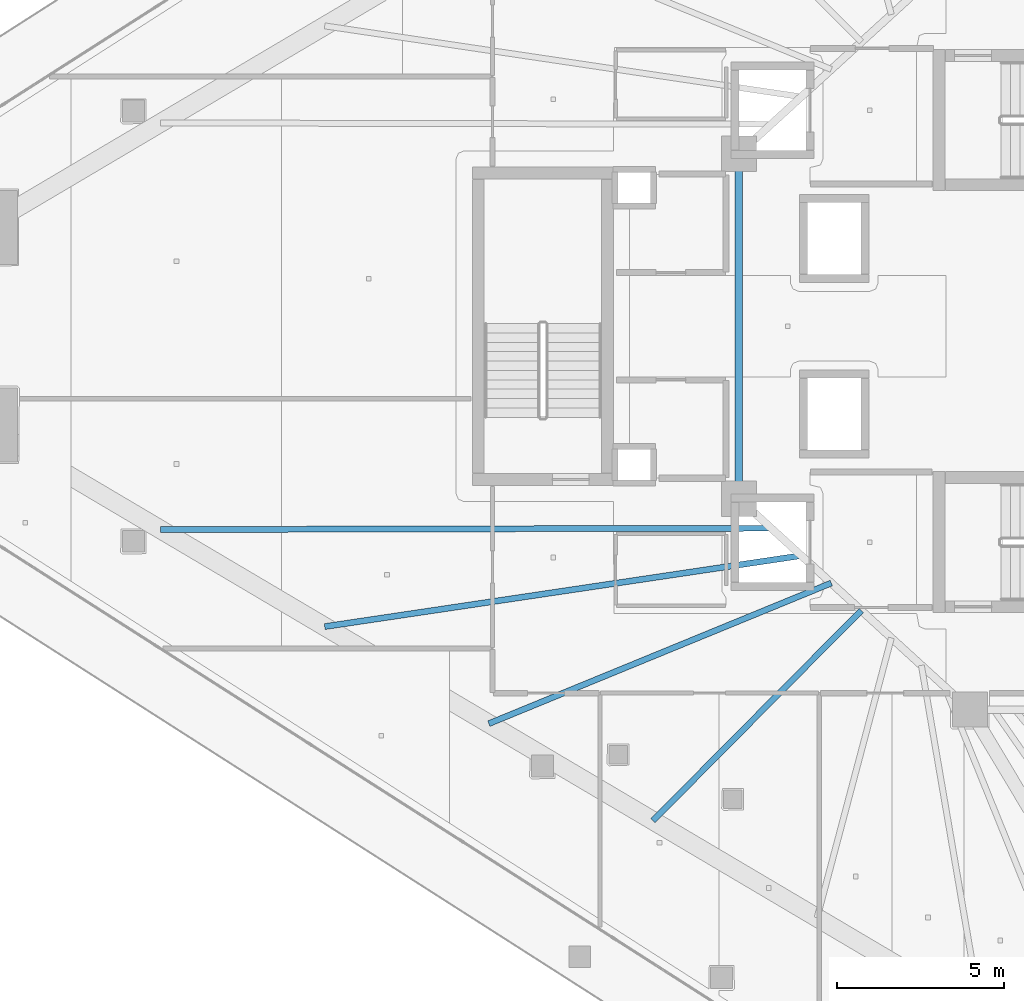
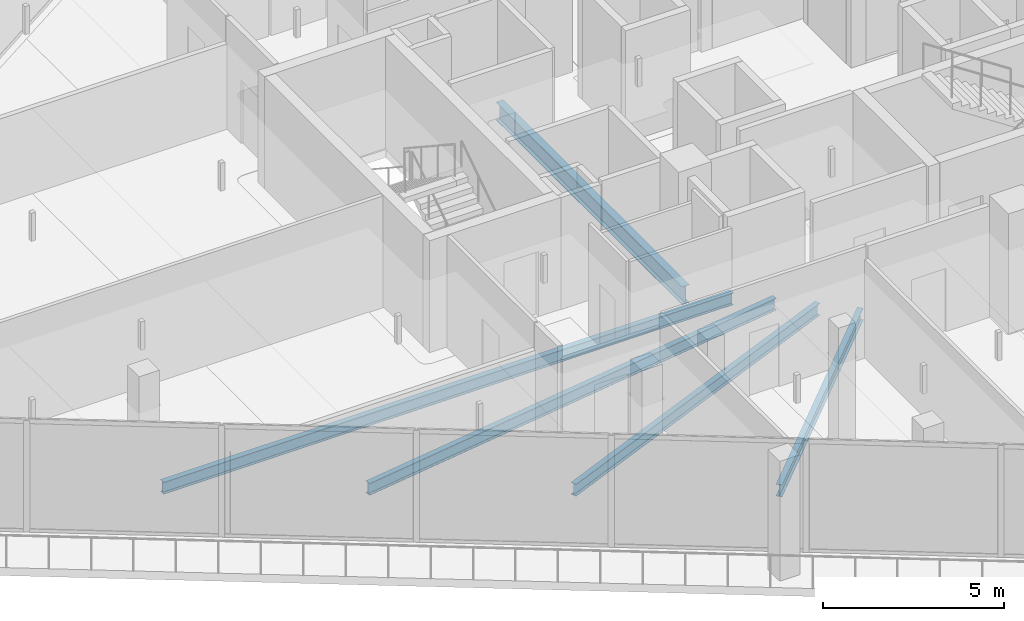
# One storey, part 6 of 38: 5 beams.
"""IFC4 building model written with IfcOpenShell, lengths in metres."""

import ifcopenshell
import ifcopenshell.guid

model = None  # the IFC model being written
_history = None  # IfcOwnerHistory: only IFC2X3 demands one
_inside = {}  # id of a spatial element -> (the spatial element, [elements in it])
_under = {}  # id of a project, library or spatial element -> (it, [spatial elements below it])
_declared = {}  # id of a project -> (the project, [libraries it declares])
_typed = {}  # id of a type object -> (the type object, [elements of that type])
_made_of = {}  # id of a material, layer set ... -> (it, [elements and type objects made of it])


def new_model(schema):
    """Start an empty IFC model of exactly this schema.

    Asked for "IFC4X3", IfcOpenShell would pick the latest addendum, in which some entities
    have other attributes; the version numbers below select the first issue.
    IFC2X3 requires an IfcOwnerHistory on every rooted entity: one is made here for all.
    """
    global model, _history
    if schema == "IFC4X3":
        model = ifcopenshell.file(schema_version=(4, 3, 0, 0))
    else:
        model = ifcopenshell.file(schema=schema)
    _inside.clear()
    _under.clear()
    _declared.clear()
    _typed.clear()
    _made_of.clear()
    _history = None
    if model.schema == "IFC2X3":
        org = make("IfcOrganization", Name="unknown")
        user = make(
            "IfcPersonAndOrganization",
            ThePerson=make("IfcPerson", FamilyName="unknown"),
            TheOrganization=org,
        )
        app = make(
            "IfcApplication",
            ApplicationDeveloper=org,
            Version="unknown",
            ApplicationFullName="unknown",
            ApplicationIdentifier="unknown",
        )
        _history = make(
            "IfcOwnerHistory",
            OwningUser=user,
            OwningApplication=app,
            ChangeAction="ADDED",
            CreationDate=0,
        )
    return model


def make(cls, **values):
    """One entity of the class cls with the attributes given. An attribute that is None is left unset."""
    return model.create_entity(
        cls, **{name: value for name, value in values.items() if value is not None}
    )


def rooted(cls, **values):
    """An entity with a GlobalId (a new one), such as an element, a storey or a relation."""
    return make(cls, GlobalId=ifcopenshell.guid.new(), OwnerHistory=_history, **values)


def si_unit(unit_type, name, prefix=None):
    """IfcSIUnit, for example si_unit("LENGTHUNIT", "METRE", prefix="MILLI")."""
    return make("IfcSIUnit", UnitType=unit_type, Prefix=prefix, Name=name)


def assignment(units):
    """IfcUnitAssignment: the units of a project."""
    return None if units is None else make("IfcUnitAssignment", Units=units)


def point(xyz):
    """IfcCartesianPoint."""
    return None if xyz is None else make("IfcCartesianPoint", Coordinates=xyz)


def direction(xyz):
    """IfcDirection."""
    return None if xyz is None else make("IfcDirection", DirectionRatios=xyz)


def frame(location, z_axis=None, x_axis=None):
    """IfcAxis2Placement3D, a coordinate frame: its origin and axes. An axis left out is left unset."""
    return make(
        "IfcAxis2Placement3D",
        Location=point(location),
        Axis=direction(z_axis),
        RefDirection=direction(x_axis),
    )


def frame_2d(location, x_axis=None):
    """IfcAxis2Placement2D, a coordinate frame in the plane: its origin and x axis."""
    return make(
        "IfcAxis2Placement2D", Location=point(location), RefDirection=direction(x_axis)
    )


def origin():
    """The frame at (0, 0, 0) with its axes left unset."""
    return frame((0.0, 0.0, 0.0))


def origin_2d():
    """The frame at (0, 0) in the plane with its x axis left unset."""
    return frame_2d((0.0, 0.0))


def place(relative_to, where):
    """IfcLocalPlacement: puts the frame where relative to a parent placement (None: the world)."""
    return make(
        "IfcLocalPlacement", PlacementRelTo=relative_to, RelativePlacement=where
    )


def context(
    kind, dimensions, precision=None, world=None, true_north=None, identifier=None
):
    """IfcGeometricRepresentationContext, for example the 3D "Model" context."""
    return make(
        "IfcGeometricRepresentationContext",
        ContextIdentifier=identifier,
        ContextType=kind,
        CoordinateSpaceDimension=dimensions,
        Precision=precision,
        WorldCoordinateSystem=world,
        TrueNorth=true_north,
    )


def subcontext(parent, identifier, kind, view, scale=None):
    """IfcGeometricRepresentationSubContext, for example "Body" below "Model"."""
    return make(
        "IfcGeometricRepresentationSubContext",
        ContextIdentifier=identifier,
        ContextType=kind,
        ParentContext=parent,
        TargetScale=scale,
        TargetView=view,
    )


def project(units=None, contexts=None):
    """IfcProject with its units and contexts."""
    return rooted(
        "IfcProject",
        Name="project",
        RepresentationContexts=contexts,
        UnitsInContext=assignment(units),
    )


def spatial(cls, under=None, at=None, **own):
    """A site, building, storey or space (cls), placed at a placement, below another one or the project."""
    s = rooted(cls, ObjectPlacement=at, **own)
    if under is not None:
        _under.setdefault(under.id(), (under, []))[1].append(s)
    return s


def profile(cls, at=None, kind="AREA", **sizes):
    """A parametric profile (cls). Its sizes go by their IFC names, for example OverallWidth=200.0."""
    return make(cls, ProfileType=kind, Position=at, **sizes)


def i_section(**sizes):
    """IfcIShapeProfileDef."""
    return profile("IfcIShapeProfileDef", **sizes)


def extrude(swept, where, along, depth):
    """IfcExtrudedAreaSolid: the profile swept, set in the frame where, extruded along a direction by depth."""
    return make(
        "IfcExtrudedAreaSolid",
        SweptArea=swept,
        Position=where,
        ExtrudedDirection=direction(along),
        Depth=depth,
    )


def shape(context_of_items, identifier, shape_type, items):
    """IfcShapeRepresentation: the items that make up one representation, for example the "Body"."""
    return make(
        "IfcShapeRepresentation",
        ContextOfItems=context_of_items,
        RepresentationIdentifier=identifier,
        RepresentationType=shape_type,
        Items=items,
    )


def material(Name=None, Category=None):
    """IfcMaterial."""
    return make("IfcMaterial", Name=Name, Category=Category)


def material_profile(
    of_material, cross_section, Name=None, Category=None, Priority=None
):
    """IfcMaterialProfile: a cross section and its material."""
    return make(
        "IfcMaterialProfile",
        Name=Name,
        Material=of_material,
        Profile=cross_section,
        Priority=Priority,
        Category=Category,
    )


def profile_set(profiles, Name=None, composite=None):
    """IfcMaterialProfileSet."""
    return make(
        "IfcMaterialProfileSet",
        Name=Name,
        MaterialProfiles=profiles,
        CompositeProfile=composite,
    )


def made_of(thing, what):
    """Note that an element or type object is made of a material, layer set ...; save() writes the relation."""
    if what is not None:
        _made_of.setdefault(what.id(), (what, []))[1].append(thing)
    return thing


def type_object(cls, material=None, **own):
    """A type object (cls), such as IfcWallType, which elements share."""
    return made_of(rooted(cls, **own), material)


def element(
    cls,
    number,
    at=None,
    inside=None,
    cuts=None,
    type_object=None,
    material=None,
    context=None,
    identifier="Body",
    shape_type=None,
    held_by="IfcProductDefinitionShape",
    body=None,
    shapes=None,
    **own,
):
    """One element of the class cls, such as IfcWall. Its Tag is "e" and its number.

    at: its placement. inside: the storey or other place that contains it. cuts: it is an
    opening in that element (IfcRelVoidsElement). A single representation is given by context,
    identifier, shape_type and body (its items); several are given by shapes. held_by: the class
    of the entity that holds the representations. save() writes the other relations.
    """
    e = rooted(cls, Tag="e%d" % number, ObjectPlacement=at, **own)
    if body is not None:
        shapes = [shape(context, identifier, shape_type, body)]
    if shapes is not None:
        e.Representation = make(held_by, Representations=shapes)
    if inside is not None:
        _inside.setdefault(inside.id(), (inside, []))[1].append(e)
    if cuts is not None:
        rooted(
            "IfcRelVoidsElement", RelatingBuildingElement=cuts, RelatedOpeningElement=e
        )
    if type_object is not None:
        _typed.setdefault(type_object.id(), (type_object, []))[1].append(e)
    return made_of(e, material)


def aggregate(whole, parts):
    """IfcRelAggregates: a whole, such as a stair, and the parts it consists of."""
    return rooted("IfcRelAggregates", RelatingObject=whole, RelatedObjects=parts)


def save(model, path):
    """Write the relations noted so far, then the file.

    IfcRelAggregates (storeys below a building ...), IfcRelContainedInSpatialStructure (elements
    in a storey), IfcRelDefinesByType, IfcRelAssociatesMaterial and IfcRelDeclares: one each for
    every whole, place, type object, material and project.
    """
    for whole, parts in _under.values():
        aggregate(whole, parts)
    for where, things in _inside.values():
        rooted(
            "IfcRelContainedInSpatialStructure",
            RelatedElements=things,
            RelatingStructure=where,
        )
    for kind, things in _typed.values():
        rooted("IfcRelDefinesByType", RelatedObjects=things, RelatingType=kind)
    for what, things in _made_of.values():
        rooted("IfcRelAssociatesMaterial", RelatedObjects=things, RelatingMaterial=what)
    for by, libraries in _declared.values():
        rooted("IfcRelDeclares", RelatingContext=by, RelatedDefinitions=libraries)
    model.write(path)


model = new_model("IFC4")

# Units and contexts
model_context = context("Model", 3, precision=1e-05, world=origin(), true_north=direction((0.0, 1.0)))
body_context = subcontext(model_context, "Body", "Model", "MODEL_VIEW")
ifc_project = project(units=[si_unit("LENGTHUNIT", "METRE"), si_unit("AREAUNIT", "SQUARE_METRE"), si_unit("VOLUMEUNIT", "CUBIC_METRE"), si_unit("PLANEANGLEUNIT", "RADIAN"), si_unit("MASSUNIT", "GRAM", prefix="KILO")], contexts=[model_context])

# Site, building, storey
site_placement = place(None, origin())
site = spatial("IfcSite", under=ifc_project, at=site_placement, CompositionType="ELEMENT")
building_placement = place(site_placement, origin())
building = spatial("IfcBuilding", under=site, at=building_placement, Name="Qorvath Tower", CompositionType="ELEMENT")
storey_placement = place(building_placement, frame((0.0, 0.0, 146.25)))
storey = spatial("IfcBuildingStorey", under=building, at=storey_placement, Name="L33", CompositionType="ELEMENT", Elevation=146.25)

# Beams
ifc_material_1 = material(Name="Steel ASTM A992 Grade 50", Category="steel")
ifc_material_profile_1 = material_profile(ifc_material_1, i_section(OverallWidth=0.22998046875, OverallDepth=0.616943359375, WebThickness=0.01318359375, FlangeThickness=0.022216796875, FilletRadius=0.014892578125, at=origin_2d()), Name="W24x94")
ifc_profile_set_1 = profile_set([ifc_material_profile_1], Name="Steel ASTM A992 Grade 50")
beam_type_1 = type_object("IfcBeamType", Name="BM-FG6", PredefinedType="BEAM", material=ifc_profile_set_1)
beam_1_placement = place(storey_placement, frame((-30.5, -5.14990234375, -0.57861328125), z_axis=(0.0, 1.0, 0.0), x_axis=(-1.0, 0.0, 0.0)))
element("IfcBeam", 1, at=beam_1_placement, inside=storey, type_object=beam_type_1, Name="Core Ring Girder CC6-CC5 L33", PredefinedType="BEAM", context=body_context, shape_type="SweptSolid", body=[
    extrude(i_section(OverallWidth=0.22998046875, OverallDepth=0.616943359375, WebThickness=0.01318359375, FlangeThickness=0.022216796875, FilletRadius=0.014892578125, at=origin_2d()), origin(), (0.0, 0.0, 1.0), 10.2998046875),
])
ifc_material_2 = material(Name="Steel ASTM A992 Grade 50", Category="steel")
ifc_material_profile_2 = material_profile(ifc_material_2, i_section(OverallWidth=0.177978515625, OverallDepth=0.406005859375, WebThickness=0.0078125, FlangeThickness=0.0126953125, FilletRadius=0.010986328125, at=origin_2d()), Name="W16x40")
ifc_profile_set_2 = profile_set([ifc_material_profile_2], Name="Steel ASTM A992 Grade 50")
beam_type_2 = type_object("IfcBeamType", Name="BM-FJ3", PredefinedType="JOIST", material=ifc_profile_set_2)
beam_2_placement = place(storey_placement, frame((-29.533935546875, -6.031982421875, -0.472900390625), z_axis=(-0.999997589883, -0.002195501951, 0.0), x_axis=(0.002195501951, -0.999997589883, 0.0)))
element("IfcBeam", 2, at=beam_2_placement, inside=storey, type_object=beam_type_2, Name="Composite Floor Joist SW1 L33", PredefinedType="JOIST", context=body_context, shape_type="SweptSolid", body=[
    extrude(i_section(OverallWidth=0.177978515625, OverallDepth=0.406005859375, WebThickness=0.0078125, FlangeThickness=0.0126953125, FilletRadius=0.010986328125, at=origin_2d()), origin(), (0.0, 0.0, 1.0), 18.23681640625),
])
beam_3_placement = place(storey_placement, frame((-28.636962890625, -6.85107421875, -0.472900390625), z_axis=(-0.989092860328, -0.147293291256, 0.0), x_axis=(0.147293291256, -0.989092860328, 0.0)))
element("IfcBeam", 3, at=beam_3_placement, inside=storey, type_object=beam_type_2, Name="Composite Floor Joist SW2 L33", PredefinedType="JOIST", context=body_context, shape_type="SweptSolid", body=[
    extrude(i_section(OverallWidth=0.177978515625, OverallDepth=0.406005859375, WebThickness=0.0078125, FlangeThickness=0.0126953125, FilletRadius=0.010986328125, at=origin_2d()), origin(), (0.0, 0.0, 1.0), 14.388916015625),
])
beam_4_placement = place(storey_placement, frame((-27.739990234375, -7.669921875, -0.472900390625), z_axis=(-0.925068176006, -0.379801092338, 0.0), x_axis=(0.379801092338, -0.925068176006, 0.0)))
element("IfcBeam", 4, at=beam_4_placement, inside=storey, type_object=beam_type_2, Name="Composite Floor Joist SW3 L33", PredefinedType="JOIST", context=body_context, shape_type="SweptSolid", body=[
    extrude(i_section(OverallWidth=0.177978515625, OverallDepth=0.406005859375, WebThickness=0.0078125, FlangeThickness=0.0126953125, FilletRadius=0.010986328125, at=origin_2d()), origin(), (0.0, 0.0, 1.0), 11.0556640625),
])
beam_5_placement = place(storey_placement, frame((-26.843017578125, -8.489013671875, -0.472900390625), z_axis=(-0.70395121362, -0.710248328997, 0.0), x_axis=(0.710248328997, -0.70395121362, 0.0)))
element("IfcBeam", 5, at=beam_5_placement, inside=storey, type_object=beam_type_2, Name="Composite Floor Joist SW4 L33", PredefinedType="JOIST", context=body_context, shape_type="SweptSolid", body=[
    extrude(i_section(OverallWidth=0.177978515625, OverallDepth=0.406005859375, WebThickness=0.0078125, FlangeThickness=0.0126953125, FilletRadius=0.010986328125, at=origin_2d()), origin(), (0.0, 0.0, 1.0), 8.839599609375),
])

save(model, "model.ifc")
